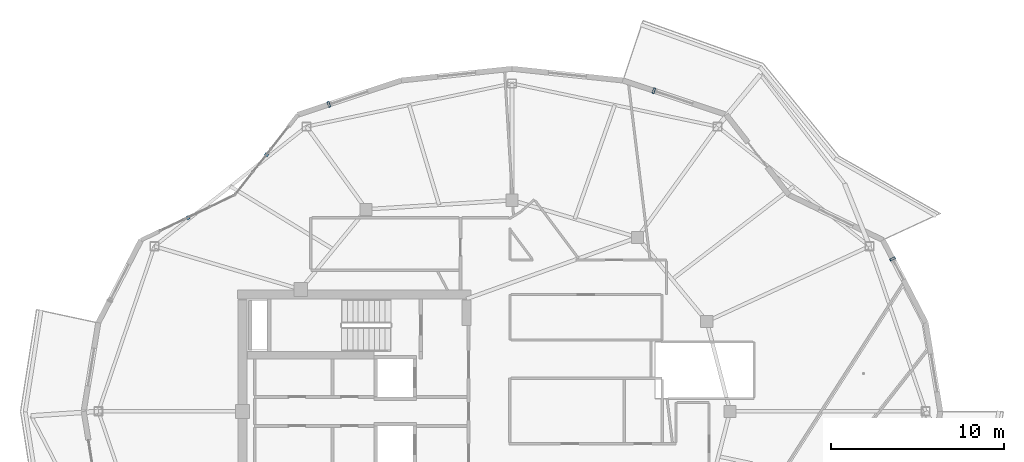
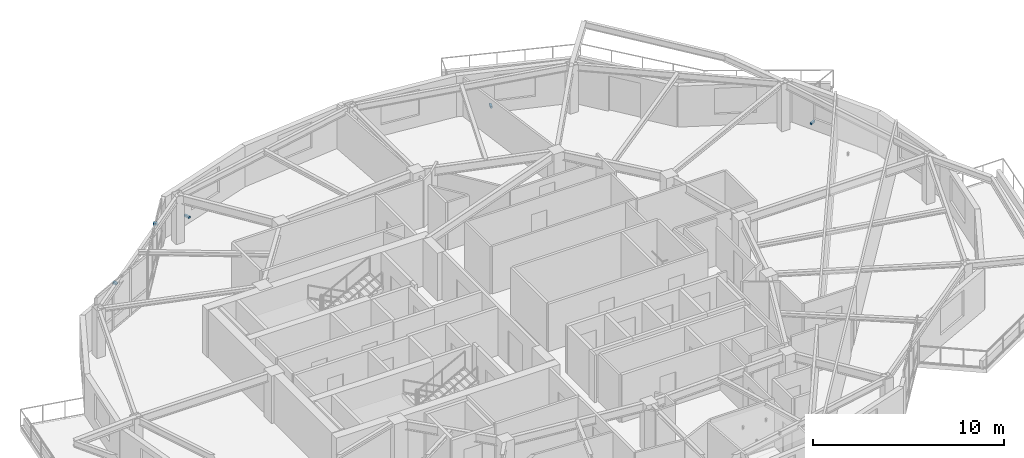
# One storey, part 15 of 19: 5 discrete accessories.
"""IFC4 building model written with IfcOpenShell, lengths in metres."""

from ifc_helpers import new_model, si_unit, direction, frame, origin, origin_2d, place, context, subcontext, project, spatial, rectangle, extrude, material, type_object, element, save


model = new_model("IFC4")

# Units and contexts
model_context = context("Model", 3, precision=1e-05, world=origin(), true_north=direction((0.0, 1.0)))
body_context = subcontext(model_context, "Body", "Model", "MODEL_VIEW")
ifc_project = project(units=[si_unit("LENGTHUNIT", "METRE"), si_unit("AREAUNIT", "SQUARE_METRE"), si_unit("VOLUMEUNIT", "CUBIC_METRE"), si_unit("PLANEANGLEUNIT", "RADIAN"), si_unit("MASSUNIT", "GRAM", prefix="KILO")], contexts=[model_context])

# Site, building, storey
site_placement = place(None, origin())
site = spatial("IfcSite", under=ifc_project, at=site_placement, CompositionType="ELEMENT")
building_placement = place(site_placement, origin())
building = spatial("IfcBuilding", under=site, at=building_placement, Name="Kolvaren Gate Tower and Convention Centre", CompositionType="ELEMENT")
storey_placement = place(building_placement, frame((0.0, 0.0, 212.89990234375)))
storey = spatial("IfcBuildingStorey", under=building, at=storey_placement, Name="L56", CompositionType="ELEMENT", Elevation=212.89990234375)

# Discrete accessories
ifc_material = material(Name="Anodized Architectural Aluminium Alloy 6063-T6", Category="aluminium")
discrete_accessory_type = type_object("IfcDiscreteAccessoryType", Name="ARCH-ACC-BRACKET-120", PredefinedType="BRACKET", material=ifc_material)
for number, where, z_axis, x_axis, name in (
    (1, (52.1201171875, 35.816650390625, 0.2900390625), (0.0, 0.0, 1.0), (0.459799959359, -0.888022520758, 0.0), "Ceramic Fin Wall Anchor Bracket FBK-L56-01"),
    (2, (38.319091796875, 45.53271484375, 0.2900390625), (0.0, 0.0, 1.0), (0.949241728595, -0.314547517385, 0.0), "Ceramic Fin Wall Anchor Bracket FBK-L56-04"),
    (3, (19.538330078125, 44.739990234375, 0.2900390625), (0.0, 0.0, 1.0), (0.949241728595, 0.314547517385, 0.0), "Ceramic Fin Wall Anchor Bracket FBK-L56-07"),
):
    element("IfcDiscreteAccessory", number, at=place(storey_placement, frame(where, z_axis=z_axis, x_axis=x_axis)), inside=storey, type_object=discrete_accessory_type, Name=name, PredefinedType="BRACKET", context=body_context, shape_type="SweptSolid", body=[
        extrude(rectangle(XDim=0.1201171875, YDim=0.320068359375, at=origin_2d()), origin(), (0.0, 0.0, 1.0), 0.1201171875),
    ])
for number, where, z_axis, x_axis, name in (
    (4, (15.93359375, 41.827392578125, 2.85009765625), (0.0, 0.0, 1.0), (0.616434119112, 0.787406487651, 0.0), "Solar Screen Spandrel Anchor Bracket BK-L56-08"),
    (5, (11.404296875, 38.20361328125, 2.85009765625), (0.0, 0.0, 1.0), (0.90135914581, 0.433072384555, 0.0), "Solar Screen Spandrel Anchor Bracket BK-L56-09"),
):
    element("IfcDiscreteAccessory", number, at=place(storey_placement, frame(where, z_axis=z_axis, x_axis=x_axis)), inside=storey, type_object=discrete_accessory_type, Name=name, PredefinedType="BRACKET", context=body_context, shape_type="SweptSolid", body=[
        extrude(rectangle(XDim=0.179931640625, YDim=0.219970703125, at=origin_2d()), origin(), (0.0, 0.0, 1.0), 0.1201171875),
    ])

save(model, "model.ifc")
